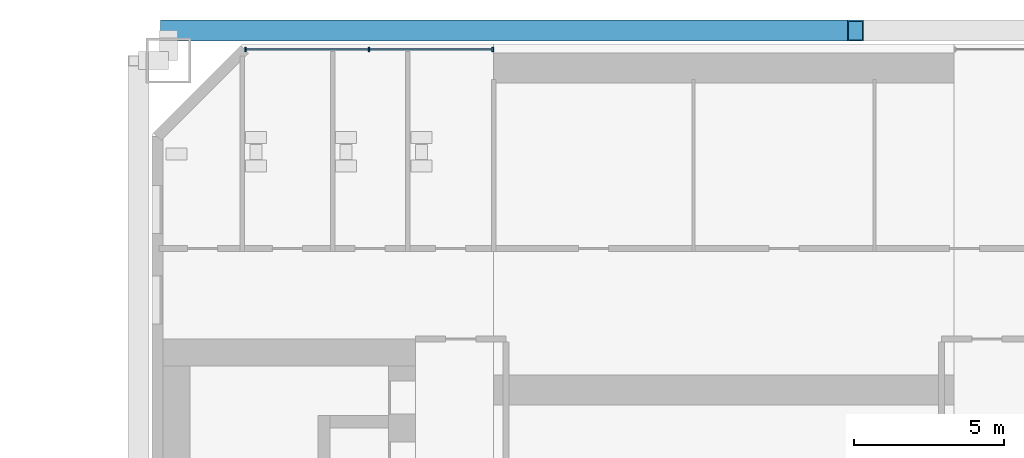
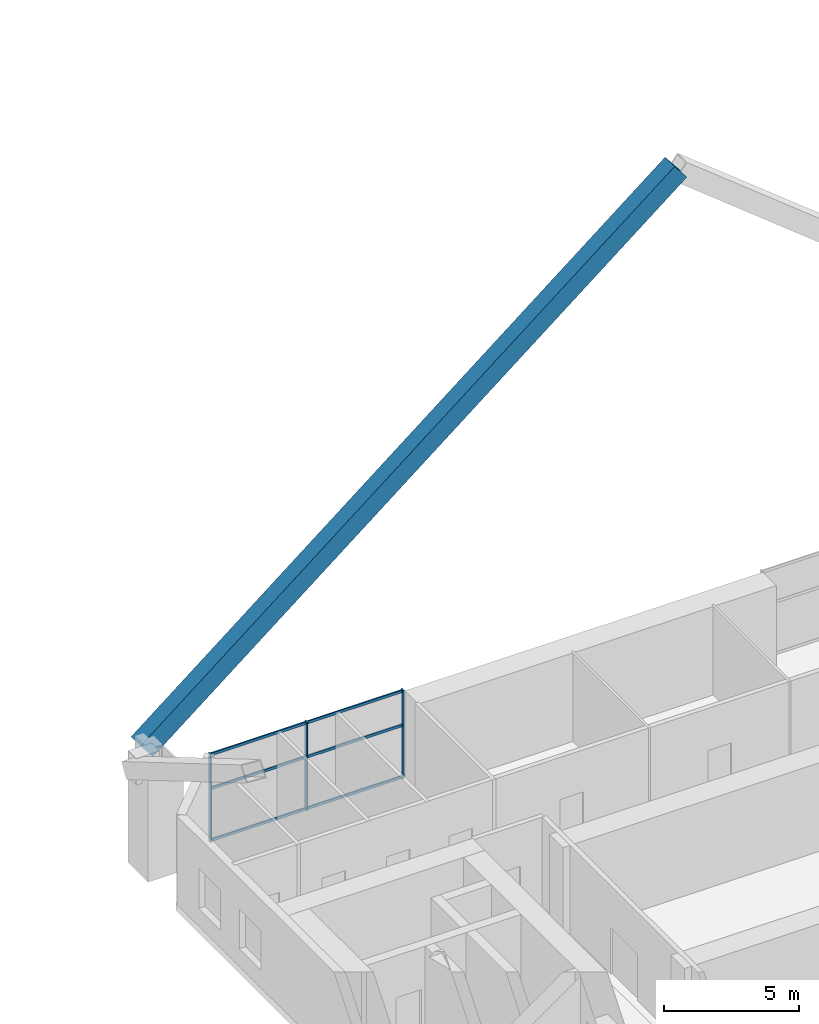
# One storey, part 11 of 25: 10 members, 1 element without a shape of its own.
"""IFC4 building model written with IfcOpenShell, lengths in metres."""

from ifc_helpers import new_model, si_unit, direction, frame, origin, origin_2d, place, context, subcontext, project, spatial, rectangle, hollow_rectangle, extrude, material, material_profile, profile_set, type_object, element, aggregate, save


model = new_model("IFC4")

# Units and contexts
model_context = context("Model", 3, precision=1e-05, world=origin(), true_north=direction((0.0, 1.0)))
body_context = subcontext(model_context, "Body", "Model", "MODEL_VIEW")
ifc_project = project(units=[si_unit("LENGTHUNIT", "METRE"), si_unit("AREAUNIT", "SQUARE_METRE"), si_unit("VOLUMEUNIT", "CUBIC_METRE"), si_unit("PLANEANGLEUNIT", "RADIAN"), si_unit("MASSUNIT", "GRAM", prefix="KILO")], contexts=[model_context])

# Site, building, storey
site_placement = place(None, origin())
site = spatial("IfcSite", under=ifc_project, at=site_placement, CompositionType="ELEMENT")
building_placement = place(site_placement, origin())
building = spatial("IfcBuilding", under=site, at=building_placement, Name="Tuart Gate Housing", CompositionType="ELEMENT")
storey_placement = place(building_placement, frame((0.0, 0.0, 14.699951171875)))
storey = spatial("IfcBuildingStorey", under=building, at=storey_placement, Name="L03", CompositionType="ELEMENT", Elevation=14.699951171875)

# Member
ifc_material_1 = material(Name="Steel Grade 350", Category="steel")
ifc_material_profile_1 = material_profile(ifc_material_1, hollow_rectangle(XDim=0.699951171875, YDim=0.85009765625, WallThickness=0.0419921875, at=origin_2d()), Name="BOX 850x700x42")
ifc_profile_set_1 = profile_set([ifc_material_profile_1], Name="Steel Grade 350")
member_type_1 = type_object("IfcMemberType", Name="Mega brace BOX 850x700x42", PredefinedType="BRACE", material=ifc_profile_set_1)
member_1_placement = place(storey_placement, frame((131.550048828125, 86.449951171875, 4.800048828125), z_axis=(0.781870554364, 0.0, 0.623440804101), x_axis=(0.0, 1.0, 0.0)))
element("IfcMember", 1, at=member_1_placement, inside=storey, type_object=member_type_1, Name="Mega brace B zone 1 north chevron 1", PredefinedType="BRACE", context=body_context, shape_type="SweptSolid", body=[
    extrude(hollow_rectangle(XDim=0.699951171875, YDim=0.85009765625, WallThickness=0.0419921875, at=origin_2d()), origin(), (0.0, 0.0, 1.0), 29.19287109375),
])

# Curtain wall, members
ifc_material_2 = material(Name="Aluminium and clear glass", Category="aluminium")
curtain_wall_type = type_object("IfcCurtainWallType", Name="Community floor glazing", PredefinedType="USERDEFINED", material=ifc_material_2)
curtain_wall_placement = place(storey_placement, origin())
curtain_wall = element("IfcCurtainWall", 2, at=curtain_wall_placement, inside=storey, type_object=curtain_wall_type, Name="Community floor glazing B-N L03", ObjectType="COMMUNITY FLOOR GLAZING", PredefinedType="USERDEFINED")
ifc_material_3 = material(Name="Anodised aluminium", Category="aluminium")
ifc_material_profile_2 = material_profile(ifc_material_3, rectangle(XDim=0.06005859375, YDim=0.159912109375, at=origin_2d()), Name="60x160")
ifc_profile_set_2 = profile_set([ifc_material_profile_2], Name="Anodised aluminium")
member_type_2 = type_object("IfcMemberType", Name="Mullion 60 x 160", PredefinedType="MULLION", material=ifc_profile_set_2)
member_2_placement = place(storey_placement, frame((142.320068359375, 85.820068359375, 0.0), z_axis=(0.0, 0.0, 1.0), x_axis=(-1.0, 0.0, 0.0)))
member_2 = element("IfcMember", 3, at=member_2_placement, type_object=member_type_2, Name="CW3 mullion 1", PredefinedType="MULLION", context=body_context, shape_type="SweptSolid", body=[
    extrude(rectangle(XDim=0.06005859375, YDim=0.159912109375, at=origin_2d()), origin(), (0.0, 0.0, 1.0), 4.0),
])
member_3_placement = place(storey_placement, frame((138.212158203125, 85.820068359375, 0.0), z_axis=(0.0, 0.0, 1.0), x_axis=(-1.0, 0.0, 0.0)))
member_3 = element("IfcMember", 4, at=member_3_placement, type_object=member_type_2, Name="CW3 mullion 2", PredefinedType="MULLION", context=body_context, shape_type="SweptSolid", body=[
    extrude(rectangle(XDim=0.06005859375, YDim=0.159912109375, at=origin_2d()), origin(), (0.0, 0.0, 1.0), 4.0),
])
member_4_placement = place(storey_placement, frame((134.1044921875, 85.820068359375, 0.0), z_axis=(0.0, 0.0, 1.0), x_axis=(-1.0, 0.0, 0.0)))
member_4 = element("IfcMember", 5, at=member_4_placement, type_object=member_type_2, Name="CW3 mullion 3", PredefinedType="MULLION", context=body_context, shape_type="SweptSolid", body=[
    extrude(rectangle(XDim=0.06005859375, YDim=0.159912109375, at=origin_2d()), origin(), (0.0, 0.0, 1.0), 4.0),
])
ifc_material_4 = material(Name="Anodised aluminium", Category="aluminium")
ifc_material_profile_3 = material_profile(ifc_material_4, rectangle(XDim=0.06005859375, YDim=0.1201171875, at=origin_2d()), Name="60x120")
ifc_profile_set_3 = profile_set([ifc_material_profile_3], Name="Anodised aluminium")
member_type_3 = type_object("IfcMemberType", Name="Transom 60 x 120", PredefinedType="USERDEFINED", material=ifc_profile_set_3)
member_5_placement = place(storey_placement, frame((142.2900390625, 85.820068359375, 0.06005859375), z_axis=(-1.0, 0.0, 0.0), x_axis=(0.0, -1.0, 0.0)))
member_5 = element("IfcMember", 6, at=member_5_placement, type_object=member_type_3, Name="CW3 transom 1.1", ObjectType="TRANSOM", PredefinedType="USERDEFINED", context=body_context, shape_type="SweptSolid", body=[
    extrude(rectangle(XDim=0.06005859375, YDim=0.1201171875, at=origin_2d()), origin(), (0.0, 0.0, 1.0), 4.0478515625),
])
member_6_placement = place(storey_placement, frame((142.2900390625, 85.820068359375, 2.400146484375), z_axis=(-1.0, 0.0, 0.0), x_axis=(0.0, -1.0, 0.0)))
member_6 = element("IfcMember", 7, at=member_6_placement, type_object=member_type_3, Name="CW3 transom 1.2", ObjectType="TRANSOM", PredefinedType="USERDEFINED", context=body_context, shape_type="SweptSolid", body=[
    extrude(rectangle(XDim=0.06005859375, YDim=0.1201171875, at=origin_2d()), origin(), (0.0, 0.0, 1.0), 4.0478515625),
])
member_7_placement = place(storey_placement, frame((142.2900390625, 85.820068359375, 3.93994140625), z_axis=(-1.0, 0.0, 0.0), x_axis=(0.0, -1.0, 0.0)))
member_7 = element("IfcMember", 8, at=member_7_placement, type_object=member_type_3, Name="CW3 transom 1.3", ObjectType="TRANSOM", PredefinedType="USERDEFINED", context=body_context, shape_type="SweptSolid", body=[
    extrude(rectangle(XDim=0.06005859375, YDim=0.1201171875, at=origin_2d()), origin(), (0.0, 0.0, 1.0), 4.0478515625),
])
member_8_placement = place(storey_placement, frame((138.18212890625, 85.820068359375, 0.06005859375), z_axis=(-1.0, 0.0, 0.0), x_axis=(0.0, -1.0, 0.0)))
member_8 = element("IfcMember", 9, at=member_8_placement, type_object=member_type_3, Name="CW3 transom 2.1", ObjectType="TRANSOM", PredefinedType="USERDEFINED", context=body_context, shape_type="SweptSolid", body=[
    extrude(rectangle(XDim=0.06005859375, YDim=0.1201171875, at=origin_2d()), origin(), (0.0, 0.0, 1.0), 4.047607421875),
])
member_9_placement = place(storey_placement, frame((138.18212890625, 85.820068359375, 2.400146484375), z_axis=(-1.0, 0.0, 0.0), x_axis=(0.0, -1.0, 0.0)))
member_9 = element("IfcMember", 10, at=member_9_placement, type_object=member_type_3, Name="CW3 transom 2.2", ObjectType="TRANSOM", PredefinedType="USERDEFINED", context=body_context, shape_type="SweptSolid", body=[
    extrude(rectangle(XDim=0.06005859375, YDim=0.1201171875, at=origin_2d()), origin(), (0.0, 0.0, 1.0), 4.047607421875),
])
member_10_placement = place(storey_placement, frame((138.18212890625, 85.820068359375, 3.93994140625), z_axis=(-1.0, 0.0, 0.0), x_axis=(0.0, -1.0, 0.0)))
member_10 = element("IfcMember", 11, at=member_10_placement, type_object=member_type_3, Name="CW3 transom 2.3", ObjectType="TRANSOM", PredefinedType="USERDEFINED", context=body_context, shape_type="SweptSolid", body=[
    extrude(rectangle(XDim=0.06005859375, YDim=0.1201171875, at=origin_2d()), origin(), (0.0, 0.0, 1.0), 4.047607421875),
])
aggregate(curtain_wall, [member_2, member_3, member_4, member_5, member_6, member_7, member_8, member_9, member_10])

save(model, "model.ifc")
